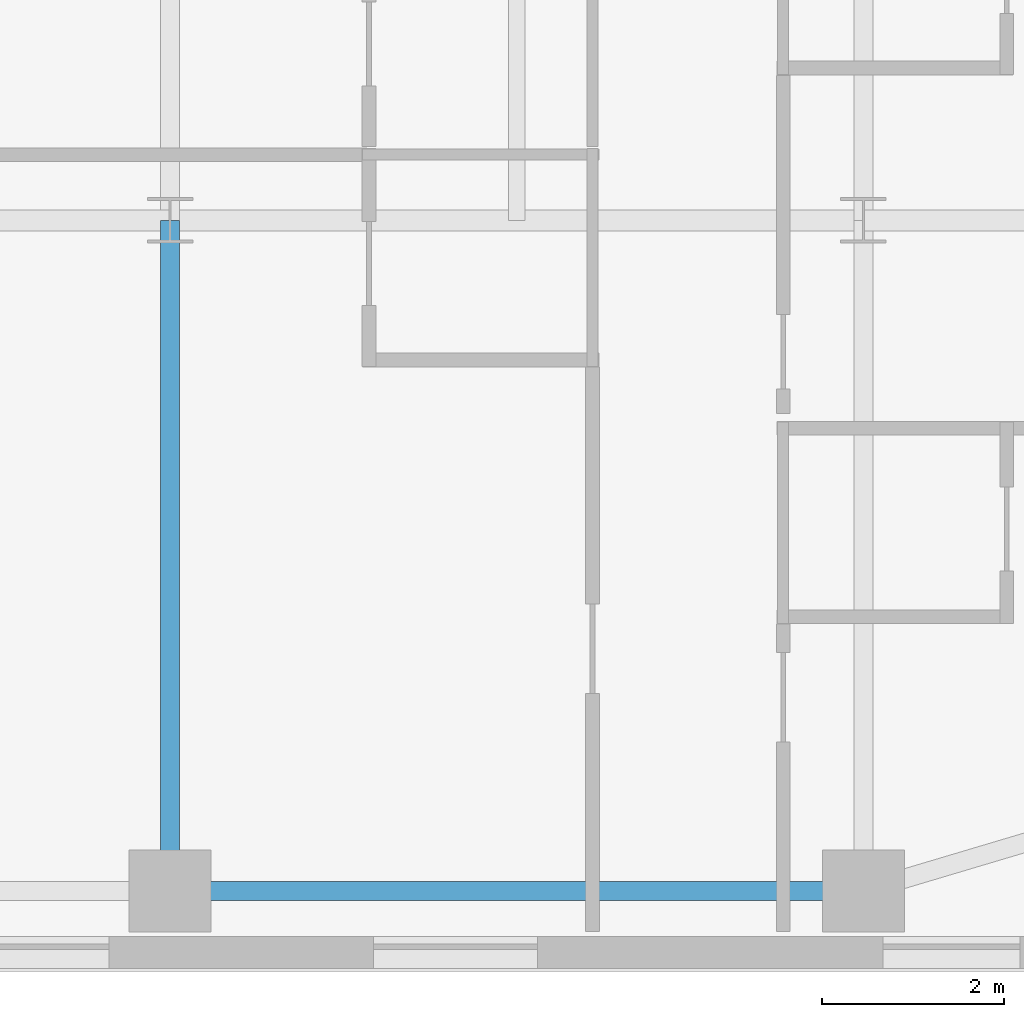
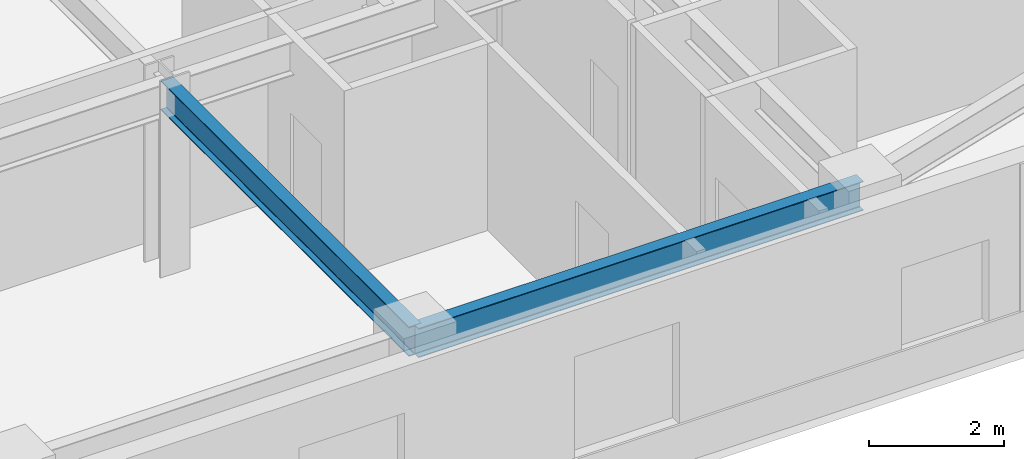
# One storey, part 15 of 37: 2 beams.
"""IFC4 building model written with IfcOpenShell, lengths in metres."""

from ifc_helpers import new_model, si_unit, direction, frame, origin, origin_2d, place, context, subcontext, project, spatial, i_section, extrude, source, transform, mapped, material, material_profile, profile_set, type_object, type_shapes, element, save


model = new_model("IFC4")

# Units and contexts
model_context = context("Model", 3, precision=1e-05, world=origin(), true_north=direction((0.0, 1.0)))
body_context = subcontext(model_context, "Body", "Model", "MODEL_VIEW")
ifc_project = project(units=[si_unit("LENGTHUNIT", "METRE"), si_unit("AREAUNIT", "SQUARE_METRE"), si_unit("VOLUMEUNIT", "CUBIC_METRE"), si_unit("PLANEANGLEUNIT", "RADIAN"), si_unit("MASSUNIT", "GRAM", prefix="KILO")], contexts=[model_context])

# Site, building, storey
site_placement = place(None, origin())
site = spatial("IfcSite", under=ifc_project, at=site_placement, CompositionType="ELEMENT")
building_placement = place(site_placement, origin())
building = spatial("IfcBuilding", under=site, at=building_placement, Name="Tolvann Quenvar Hotel", CompositionType="ELEMENT")
storey_placement = place(building_placement, frame((0.0, 0.0, 104.449951171875)))
storey = spatial("IfcBuildingStorey", under=building, at=storey_placement, Name="L26", CompositionType="ELEMENT", Elevation=104.449951171875)

# Beams
ifc_material = material(Name="Steel Grade 350", Category="steel")
ifc_material_profile_1 = material_profile(ifc_material, i_section(OverallWidth=0.208984375, OverallDepth=0.528076171875, WebThickness=0.009521484375, FlangeThickness=0.01318359375, FilletRadius=0.013916015625, at=origin_2d()), Name="530UB82")
ifc_profile_set_1 = profile_set([ifc_material_profile_1], Name="Steel Grade 350")
beam_type_1 = type_object("IfcBeamType", Name="BM_SPAND_530UB82", PredefinedType="SPANDREL", material=ifc_profile_set_1)
shared_shape_1 = source(origin(), body_context, "Body", "SweptSolid", [
    extrude(i_section(OverallWidth=0.208984375, OverallDepth=0.528076171875, WebThickness=0.009521484375, FlangeThickness=0.01318359375, FilletRadius=0.013916015625, at=origin_2d()), origin(), (0.0, 0.0, 1.0), 7.599853515625),
])
type_shapes(beam_type_1, [shared_shape_1])
beam_1_placement = place(storey_placement, frame((41.800048828125, 0.85009765625, 3.10595703125), z_axis=(1.0, 0.0, 0.0), x_axis=(0.0, 1.0, 0.0)))
element("IfcBeam", 1, at=beam_1_placement, inside=storey, type_object=beam_type_1, Name="BM-L26-EW-2-H2-I2", PredefinedType="SPANDREL", context=body_context, shape_type="MappedRepresentation", body=[
    mapped(shared_shape_1, transform((0.0, 0.0, 0.0), x_axis=(1.0, 0.0, 0.0), y_axis=(0.0, 1.0, 0.0), z_axis=(0.0, 0.0, 1.0), scale=1.0)),
])
ifc_material_profile_2 = material_profile(ifc_material, i_section(OverallWidth=0.208984375, OverallDepth=0.532958984375, WebThickness=0.01025390625, FlangeThickness=0.015625, FilletRadius=0.013916015625, at=origin_2d()), Name="530UB92")
ifc_profile_set_2 = profile_set([ifc_material_profile_2], Name="Steel Grade 350")
beam_type_2 = type_object("IfcBeamType", Name="BM_GIRD_530UB92", PredefinedType="BEAM", material=ifc_profile_set_2)
shared_shape_2 = source(origin(), body_context, "Body", "SweptSolid", [
    extrude(i_section(OverallWidth=0.208984375, OverallDepth=0.532958984375, WebThickness=0.01025390625, FlangeThickness=0.015625, FilletRadius=0.013916015625, at=origin_2d()), origin(), (0.0, 0.0, 1.0), 7.349853515625),
])
type_shapes(beam_type_2, [shared_shape_2])
beam_2_placement = place(storey_placement, frame((41.800048828125, 0.85009765625, 3.103515625), z_axis=(0.0, 1.0, 0.0), x_axis=(-1.0, 0.0, 0.0)))
element("IfcBeam", 2, at=beam_2_placement, inside=storey, type_object=beam_type_2, Name="BM-L26-NS-H2-H3", PredefinedType="BEAM", context=body_context, shape_type="MappedRepresentation", body=[
    mapped(shared_shape_2, transform((0.0, 0.0, 0.0), x_axis=(1.0, 0.0, 0.0), y_axis=(0.0, 1.0, 0.0), z_axis=(0.0, 0.0, 1.0), scale=1.0)),
])

save(model, "model.ifc")
